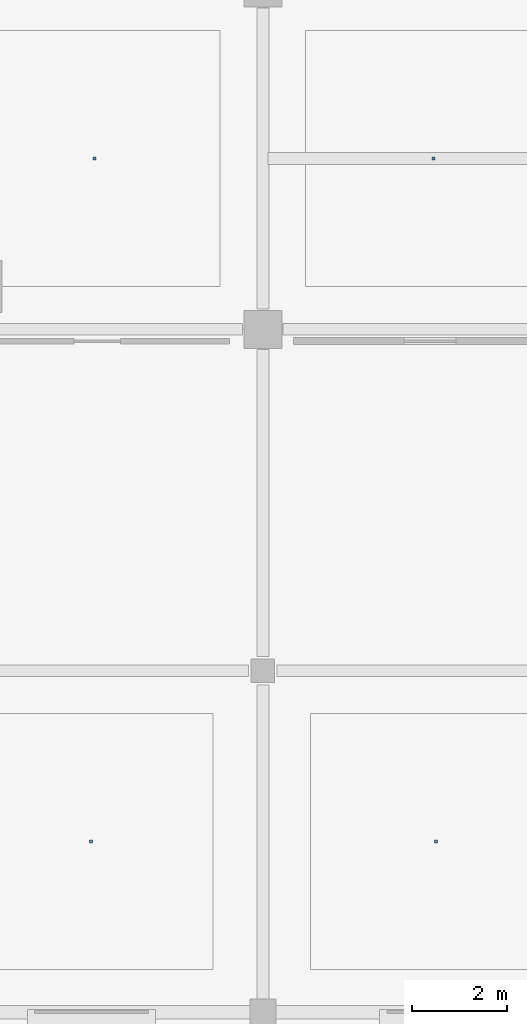
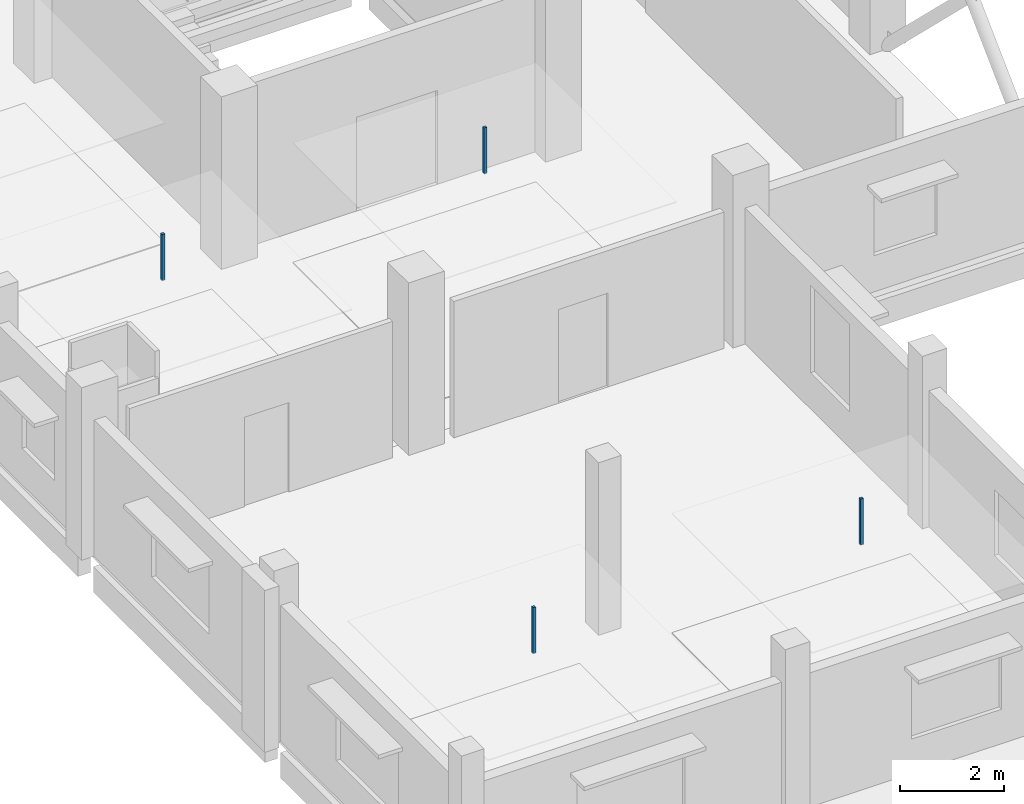
# One storey, part 89 of 108: 4 discrete accessories.
"""IFC4 building model written with IfcOpenShell, lengths in metres."""

import ifcopenshell
import ifcopenshell.guid

model = None  # the IFC model being written
_history = None  # IfcOwnerHistory: only IFC2X3 demands one
_inside = {}  # id of a spatial element -> (the spatial element, [elements in it])
_under = {}  # id of a project, library or spatial element -> (it, [spatial elements below it])
_declared = {}  # id of a project -> (the project, [libraries it declares])
_typed = {}  # id of a type object -> (the type object, [elements of that type])
_made_of = {}  # id of a material, layer set ... -> (it, [elements and type objects made of it])


def new_model(schema):
    """Start an empty IFC model of exactly this schema.

    Asked for "IFC4X3", IfcOpenShell would pick the latest addendum, in which some entities
    have other attributes; the version numbers below select the first issue.
    IFC2X3 requires an IfcOwnerHistory on every rooted entity: one is made here for all.
    """
    global model, _history
    if schema == "IFC4X3":
        model = ifcopenshell.file(schema_version=(4, 3, 0, 0))
    else:
        model = ifcopenshell.file(schema=schema)
    _inside.clear()
    _under.clear()
    _declared.clear()
    _typed.clear()
    _made_of.clear()
    _history = None
    if model.schema == "IFC2X3":
        org = make("IfcOrganization", Name="unknown")
        user = make(
            "IfcPersonAndOrganization",
            ThePerson=make("IfcPerson", FamilyName="unknown"),
            TheOrganization=org,
        )
        app = make(
            "IfcApplication",
            ApplicationDeveloper=org,
            Version="unknown",
            ApplicationFullName="unknown",
            ApplicationIdentifier="unknown",
        )
        _history = make(
            "IfcOwnerHistory",
            OwningUser=user,
            OwningApplication=app,
            ChangeAction="ADDED",
            CreationDate=0,
        )
    return model


def make(cls, **values):
    """One entity of the class cls with the attributes given. An attribute that is None is left unset."""
    return model.create_entity(
        cls, **{name: value for name, value in values.items() if value is not None}
    )


def rooted(cls, **values):
    """An entity with a GlobalId (a new one), such as an element, a storey or a relation."""
    return make(cls, GlobalId=ifcopenshell.guid.new(), OwnerHistory=_history, **values)


def si_unit(unit_type, name, prefix=None):
    """IfcSIUnit, for example si_unit("LENGTHUNIT", "METRE", prefix="MILLI")."""
    return make("IfcSIUnit", UnitType=unit_type, Prefix=prefix, Name=name)


def assignment(units):
    """IfcUnitAssignment: the units of a project."""
    return None if units is None else make("IfcUnitAssignment", Units=units)


def point(xyz):
    """IfcCartesianPoint."""
    return None if xyz is None else make("IfcCartesianPoint", Coordinates=xyz)


def direction(xyz):
    """IfcDirection."""
    return None if xyz is None else make("IfcDirection", DirectionRatios=xyz)


def frame(location, z_axis=None, x_axis=None):
    """IfcAxis2Placement3D, a coordinate frame: its origin and axes. An axis left out is left unset."""
    return make(
        "IfcAxis2Placement3D",
        Location=point(location),
        Axis=direction(z_axis),
        RefDirection=direction(x_axis),
    )


def frame_2d(location, x_axis=None):
    """IfcAxis2Placement2D, a coordinate frame in the plane: its origin and x axis."""
    return make(
        "IfcAxis2Placement2D", Location=point(location), RefDirection=direction(x_axis)
    )


def origin():
    """The frame at (0, 0, 0) with its axes left unset."""
    return frame((0.0, 0.0, 0.0))


def origin_2d():
    """The frame at (0, 0) in the plane with its x axis left unset."""
    return frame_2d((0.0, 0.0))


def place(relative_to, where):
    """IfcLocalPlacement: puts the frame where relative to a parent placement (None: the world)."""
    return make(
        "IfcLocalPlacement", PlacementRelTo=relative_to, RelativePlacement=where
    )


def context(
    kind, dimensions, precision=None, world=None, true_north=None, identifier=None
):
    """IfcGeometricRepresentationContext, for example the 3D "Model" context."""
    return make(
        "IfcGeometricRepresentationContext",
        ContextIdentifier=identifier,
        ContextType=kind,
        CoordinateSpaceDimension=dimensions,
        Precision=precision,
        WorldCoordinateSystem=world,
        TrueNorth=true_north,
    )


def subcontext(parent, identifier, kind, view, scale=None):
    """IfcGeometricRepresentationSubContext, for example "Body" below "Model"."""
    return make(
        "IfcGeometricRepresentationSubContext",
        ContextIdentifier=identifier,
        ContextType=kind,
        ParentContext=parent,
        TargetScale=scale,
        TargetView=view,
    )


def project(units=None, contexts=None):
    """IfcProject with its units and contexts."""
    return rooted(
        "IfcProject",
        Name="project",
        RepresentationContexts=contexts,
        UnitsInContext=assignment(units),
    )


def spatial(cls, under=None, at=None, **own):
    """A site, building, storey or space (cls), placed at a placement, below another one or the project."""
    s = rooted(cls, ObjectPlacement=at, **own)
    if under is not None:
        _under.setdefault(under.id(), (under, []))[1].append(s)
    return s


def profile(cls, at=None, kind="AREA", **sizes):
    """A parametric profile (cls). Its sizes go by their IFC names, for example OverallWidth=200.0."""
    return make(cls, ProfileType=kind, Position=at, **sizes)


def rectangle(**sizes):
    """IfcRectangleProfileDef."""
    return profile("IfcRectangleProfileDef", **sizes)


def extrude(swept, where, along, depth):
    """IfcExtrudedAreaSolid: the profile swept, set in the frame where, extruded along a direction by depth."""
    return make(
        "IfcExtrudedAreaSolid",
        SweptArea=swept,
        Position=where,
        ExtrudedDirection=direction(along),
        Depth=depth,
    )


def shape(context_of_items, identifier, shape_type, items):
    """IfcShapeRepresentation: the items that make up one representation, for example the "Body"."""
    return make(
        "IfcShapeRepresentation",
        ContextOfItems=context_of_items,
        RepresentationIdentifier=identifier,
        RepresentationType=shape_type,
        Items=items,
    )


def material(Name=None, Category=None):
    """IfcMaterial."""
    return make("IfcMaterial", Name=Name, Category=Category)


def made_of(thing, what):
    """Note that an element or type object is made of a material, layer set ...; save() writes the relation."""
    if what is not None:
        _made_of.setdefault(what.id(), (what, []))[1].append(thing)
    return thing


def type_object(cls, material=None, **own):
    """A type object (cls), such as IfcWallType, which elements share."""
    return made_of(rooted(cls, **own), material)


def element(
    cls,
    number,
    at=None,
    inside=None,
    cuts=None,
    type_object=None,
    material=None,
    context=None,
    identifier="Body",
    shape_type=None,
    held_by="IfcProductDefinitionShape",
    body=None,
    shapes=None,
    **own,
):
    """One element of the class cls, such as IfcWall. Its Tag is "e" and its number.

    at: its placement. inside: the storey or other place that contains it. cuts: it is an
    opening in that element (IfcRelVoidsElement). A single representation is given by context,
    identifier, shape_type and body (its items); several are given by shapes. held_by: the class
    of the entity that holds the representations. save() writes the other relations.
    """
    e = rooted(cls, Tag="e%d" % number, ObjectPlacement=at, **own)
    if body is not None:
        shapes = [shape(context, identifier, shape_type, body)]
    if shapes is not None:
        e.Representation = make(held_by, Representations=shapes)
    if inside is not None:
        _inside.setdefault(inside.id(), (inside, []))[1].append(e)
    if cuts is not None:
        rooted(
            "IfcRelVoidsElement", RelatingBuildingElement=cuts, RelatedOpeningElement=e
        )
    if type_object is not None:
        _typed.setdefault(type_object.id(), (type_object, []))[1].append(e)
    return made_of(e, material)


def aggregate(whole, parts):
    """IfcRelAggregates: a whole, such as a stair, and the parts it consists of."""
    return rooted("IfcRelAggregates", RelatingObject=whole, RelatedObjects=parts)


def save(model, path):
    """Write the relations noted so far, then the file.

    IfcRelAggregates (storeys below a building ...), IfcRelContainedInSpatialStructure (elements
    in a storey), IfcRelDefinesByType, IfcRelAssociatesMaterial and IfcRelDeclares: one each for
    every whole, place, type object, material and project.
    """
    for whole, parts in _under.values():
        aggregate(whole, parts)
    for where, things in _inside.values():
        rooted(
            "IfcRelContainedInSpatialStructure",
            RelatedElements=things,
            RelatingStructure=where,
        )
    for kind, things in _typed.values():
        rooted("IfcRelDefinesByType", RelatedObjects=things, RelatingType=kind)
    for what, things in _made_of.values():
        rooted("IfcRelAssociatesMaterial", RelatedObjects=things, RelatingMaterial=what)
    for by, libraries in _declared.values():
        rooted("IfcRelDeclares", RelatingContext=by, RelatedDefinitions=libraries)
    model.write(path)


model = new_model("IFC4")

# Units and contexts
model_context = context("Model", 3, precision=1e-05, world=origin(), true_north=direction((0.0, 1.0)))
body_context = subcontext(model_context, "Body", "Model", "MODEL_VIEW")
ifc_project = project(units=[si_unit("LENGTHUNIT", "METRE"), si_unit("AREAUNIT", "SQUARE_METRE"), si_unit("VOLUMEUNIT", "CUBIC_METRE"), si_unit("PLANEANGLEUNIT", "RADIAN"), si_unit("MASSUNIT", "GRAM", prefix="KILO")], contexts=[model_context])

# Site, building, storey
site_placement = place(None, origin())
site = spatial("IfcSite", under=ifc_project, at=site_placement, CompositionType="ELEMENT")
building_placement = place(site_placement, origin())
building = spatial("IfcBuilding", under=site, at=building_placement, Name="Kangsadwip Square Police Headquarters", CompositionType="ELEMENT")
storey_placement = place(building_placement, frame((0.0, 0.0, 9.449951171875)))
storey = spatial("IfcBuildingStorey", under=building, at=storey_placement, Name="L02", CompositionType="ELEMENT", Elevation=9.449951171875)

# Discrete accessories
ifc_material = material(Name="Structural steel IS 2062 E350 (Grade 350, 350 MPa)", Category="steel")
discrete_accessory_type = type_object("IfcDiscreteAccessoryType", Name="VeilOutriggerBracket", PredefinedType="BRACKET", material=ifc_material)
for number, where, z_axis, x_axis, name in (
    (1, (3.64990234375, 39.60009765625, 2.81005859375), (0.0, 0.0, 1.0), (1.0, 0.0, 0.0), "Ceiling Suspension Hanger L02-072"),
    (2, (10.800048828125, 39.60009765625, 2.81005859375), (0.0, 0.0, 1.0), (1.0, 0.0, 0.0), "Ceiling Suspension Hanger L02-073"),
    (3, (3.574951171875, 25.199951171875, 2.81005859375), (0.0, 0.0, 1.0), (1.0, 0.0, 0.0), "Ceiling Suspension Hanger L02-079"),
    (4, (10.85009765625, 25.199951171875, 2.81005859375), (0.0, 0.0, 1.0), (1.0, 0.0, 0.0), "Ceiling Suspension Hanger L02-080"),
):
    element("IfcDiscreteAccessory", number, at=place(storey_placement, frame(where, z_axis=z_axis, x_axis=x_axis)), inside=storey, type_object=discrete_accessory_type, Name=name, PredefinedType="BRACKET", context=body_context, shape_type="SweptSolid", body=[
        extrude(rectangle(XDim=0.06005859375, YDim=0.06005859375, at=origin_2d()), origin(), (0.0, 0.0, 1.0), 1.080078125),
    ])

save(model, "model.ifc")
